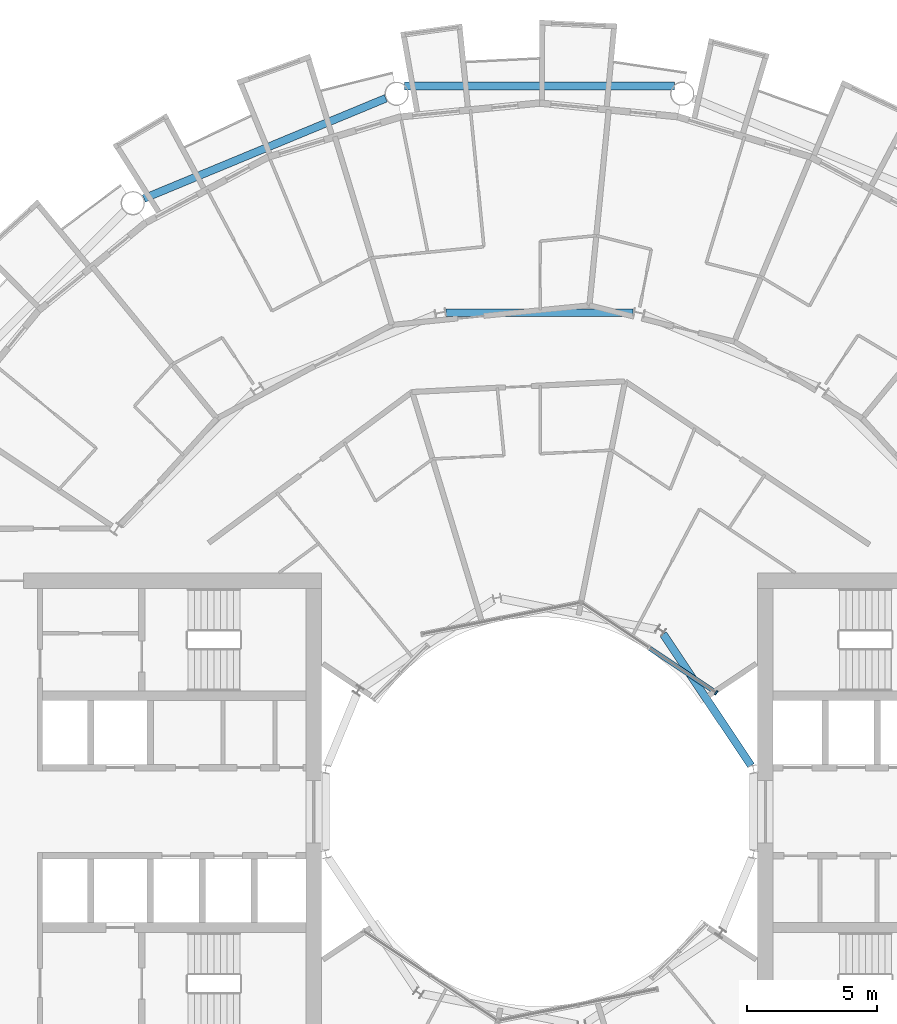
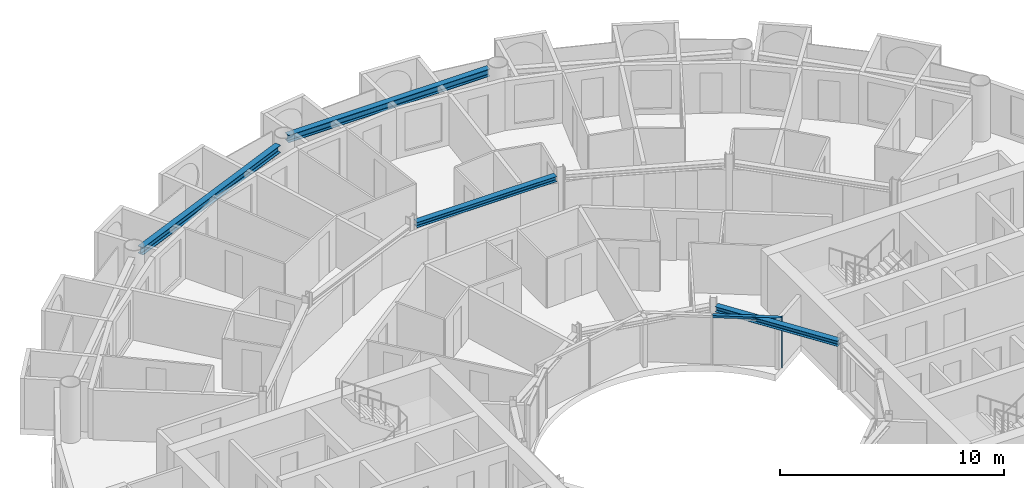
# One storey, part 9 of 26: 4 beams, 2 members, 1 element without a shape of its own.
"""IFC4 building model written with IfcOpenShell, lengths in metres."""

from ifc_helpers import new_model, si_unit, direction, frame, origin, origin_2d, place, context, subcontext, project, spatial, rectangle, i_section, extrude, material, layer, layer_set, material_profile, profile_set, type_object, element, aggregate, save


model = new_model("IFC4")

# Units and contexts
model_context = context("Model", 3, precision=1e-05, world=origin(), true_north=direction((0.0, 1.0)))
body_context = subcontext(model_context, "Body", "Model", "MODEL_VIEW")
ifc_project = project(units=[si_unit("LENGTHUNIT", "METRE"), si_unit("AREAUNIT", "SQUARE_METRE"), si_unit("VOLUMEUNIT", "CUBIC_METRE"), si_unit("PLANEANGLEUNIT", "RADIAN"), si_unit("MASSUNIT", "GRAM", prefix="KILO")], contexts=[model_context])

# Site, building, storey
site_placement = place(None, origin())
site = spatial("IfcSite", under=ifc_project, at=site_placement, CompositionType="ELEMENT")
building_placement = place(site_placement, origin())
building = spatial("IfcBuilding", under=site, at=building_placement, Name="Maasbend Ring Residences", CompositionType="ELEMENT")
storey_placement = place(building_placement, frame((0.0, 0.0, 123.85009765625)))
storey = spatial("IfcBuildingStorey", under=building, at=storey_placement, Name="L35", CompositionType="ELEMENT", Elevation=123.85009765625)

# Curtain wall, members
ifc_material_1 = material(Name="Aluminium and clear glass", Category="aluminium")
ifc_layer = layer(ifc_material_1, 0.179931640625)
ifc_layer_set = layer_set([ifc_layer], Name="CW-W")
curtain_wall_type = type_object("IfcCurtainWallType", Name="CW-W", PredefinedType="NOTDEFINED", material=ifc_layer_set)
curtain_wall_placement = place(storey_placement, origin())
curtain_wall = element("IfcCurtainWall", 1, at=curtain_wall_placement, inside=storey, type_object=curtain_wall_type, Name="Well curtain wall N1", PredefinedType="NOTDEFINED")
ifc_material_2 = material(Name="Aluminium 6063-T6", Category="aluminium")
ifc_material_profile_1 = material_profile(ifc_material_2, rectangle(XDim=0.179931640625, YDim=0.06005859375, at=origin_2d()), Name="AL 180x60")
ifc_profile_set_1 = profile_set([ifc_material_profile_1], Name="Aluminium 6063-T6")
member_type_1 = type_object("IfcMemberType", Name="CWM-W", PredefinedType="MULLION", material=ifc_profile_set_1)
member_1_placement = place(storey_placement, frame((6.805908203125, 4.580810546875, 0.0), z_axis=(0.0, 0.0, 1.0), x_axis=(-0.55557023302, -0.831469612303, 0.0)))
member_1 = element("IfcMember", 2, at=member_1_placement, type_object=member_type_1, Name="Mullion well face", PredefinedType="MULLION", context=body_context, shape_type="SweptSolid", body=[
    extrude(rectangle(XDim=0.179931640625, YDim=0.06005859375, at=origin_2d()), origin(), (0.0, 0.0, 1.0), 2.699951171875),
])
ifc_material_3 = material(Name="Aluminium 6063-T6", Category="aluminium")
ifc_material_profile_2 = material_profile(ifc_material_3, rectangle(XDim=0.179931640625, YDim=0.1201171875, at=origin_2d()), Name="AL 180x120")
ifc_profile_set_2 = profile_set([ifc_material_profile_2], Name="Aluminium 6063-T6")
member_type_2 = type_object("IfcMemberType", Name="CWT-W", PredefinedType="USERDEFINED", material=ifc_profile_set_2)
member_2_placement = place(storey_placement, frame((6.781005859375, 4.59765625, 2.639892578125), z_axis=(-0.831496422459, 0.555530106689, 0.0), x_axis=(-0.555530106689, -0.831496422459, 0.0)))
member_2 = element("IfcMember", 3, at=member_2_placement, type_object=member_type_2, Name="Transom well face", ObjectType="TRANSOM", PredefinedType="USERDEFINED", context=body_context, shape_type="SweptSolid", body=[
    extrude(rectangle(XDim=0.179931640625, YDim=0.1201171875, at=origin_2d()), origin(), (0.0, 0.0, 1.0), 3.053955078125),
])
aggregate(curtain_wall, [member_1, member_2])

# Beams
ifc_material_4 = material(Name="Steel S355J2", Category="steel")
ifc_material_profile_3 = material_profile(ifc_material_4, i_section(OverallWidth=0.300048828125, OverallDepth=0.2900390625, WebThickness=0.008544921875, FlangeThickness=0.013916015625, FilletRadius=0.027099609375, at=origin_2d()), Name="HEA 300")
ifc_profile_set_3 = profile_set([ifc_material_profile_3], Name="Steel S355J2")
beam_type_1 = type_object("IfcBeamType", Name="Corridor ring beam HEA 300", PredefinedType="BEAM", material=ifc_profile_set_3)
beam_1_placement = place(storey_placement, frame((3.603515625, 19.223388671875, 2.554931640625), z_axis=(-1.0, 0.0, 0.0), x_axis=(0.0, -1.0, 0.0)))
element("IfcBeam", 4, at=beam_1_placement, inside=storey, type_object=beam_type_1, Name="Corridor ring beam", PredefinedType="BEAM", context=body_context, shape_type="SweptSolid", body=[
    extrude(i_section(OverallWidth=0.300048828125, OverallDepth=0.2900390625, WebThickness=0.008544921875, FlangeThickness=0.013916015625, FilletRadius=0.027099609375, at=origin_2d()), origin(), (0.0, 0.0, 1.0), 7.20703125),
])
ifc_material_5 = material(Name="Steel S355J2", Category="steel")
ifc_material_profile_4 = material_profile(ifc_material_5, i_section(OverallWidth=0.300048828125, OverallDepth=0.39990234375, WebThickness=0.013427734375, FlangeThickness=0.02392578125, FilletRadius=0.027099609375, at=origin_2d()), Name="HEB 400")
ifc_profile_set_4 = profile_set([ifc_material_profile_4], Name="Steel S355J2")
beam_type_2 = type_object("IfcBeamType", Name="Spandrel ring beam HEB 400", PredefinedType="SPANDREL", material=ifc_profile_set_4)
beam_2_placement = place(storey_placement, frame((5.194580078125, 27.9580078125, 2.5), z_axis=(-1.0, 0.0, 0.0), x_axis=(0.0, -1.0, 0.0)))
element("IfcBeam", 5, at=beam_2_placement, inside=storey, type_object=beam_type_2, Name="Spandrel ring beam", PredefinedType="SPANDREL", context=body_context, shape_type="SweptSolid", body=[
    extrude(i_section(OverallWidth=0.300048828125, OverallDepth=0.39990234375, WebThickness=0.013427734375, FlangeThickness=0.02392578125, FilletRadius=0.027099609375, at=origin_2d()), origin(), (0.0, 0.0, 1.0), 10.38916015625),
])
beam_3_placement = place(storey_placement, frame((-5.923583984375, 27.483154296875, 2.5), z_axis=(-0.92388529709, -0.382669515144, 0.0), x_axis=(0.382669515144, -0.92388529709, 0.0)))
element("IfcBeam", 6, at=beam_3_placement, inside=storey, type_object=beam_type_2, Name="Spandrel ring beam", PredefinedType="SPANDREL", context=body_context, shape_type="SweptSolid", body=[
    extrude(i_section(OverallWidth=0.300048828125, OverallDepth=0.39990234375, WebThickness=0.013427734375, FlangeThickness=0.02392578125, FilletRadius=0.027099609375, at=origin_2d()), origin(), (0.0, 0.0, 1.0), 10.089111328125),
])
ifc_material_6 = material(Name="Steel S355J2", Category="steel")
ifc_material_profile_5 = material_profile(ifc_material_6, i_section(OverallWidth=0.300048828125, OverallDepth=0.2900390625, WebThickness=0.008544921875, FlangeThickness=0.013916015625, FilletRadius=0.027099609375, at=origin_2d()), Name="HEA 300")
ifc_profile_set_5 = profile_set([ifc_material_profile_5], Name="Steel S355J2")
beam_type_3 = type_object("IfcBeamType", Name="Well edge beam HEA 300", PredefinedType="BEAM", material=ifc_profile_set_5)
beam_4_placement = place(storey_placement, frame((8.1484375, 1.773681640625, 2.554931640625), z_axis=(-0.555558236289, 0.831477628137, 0.0), x_axis=(-0.831477628137, -0.555558236289, 0.0)))
element("IfcBeam", 7, at=beam_4_placement, inside=storey, type_object=beam_type_3, Name="Well edge beam", PredefinedType="BEAM", context=body_context, shape_type="SweptSolid", body=[
    extrude(i_section(OverallWidth=0.300048828125, OverallDepth=0.2900390625, WebThickness=0.008544921875, FlangeThickness=0.013916015625, FilletRadius=0.027099609375, at=origin_2d()), origin(), (0.0, 0.0, 1.0), 6.1044921875),
])

save(model, "model.ifc")
